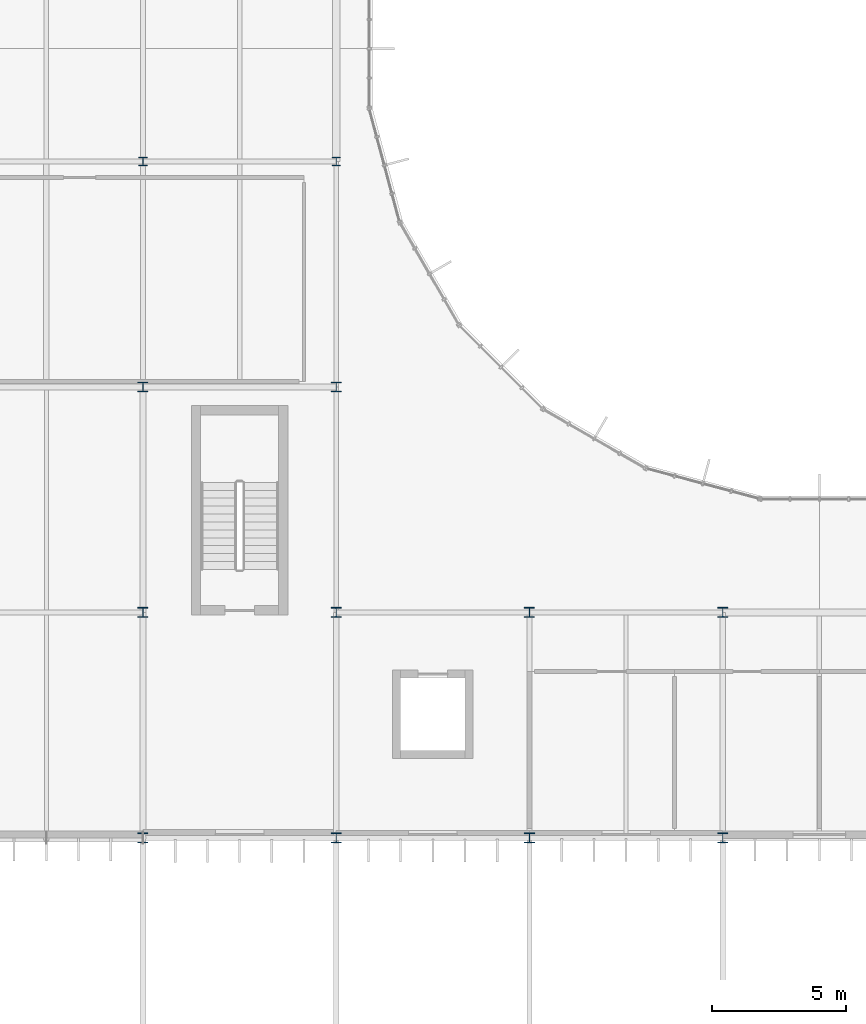
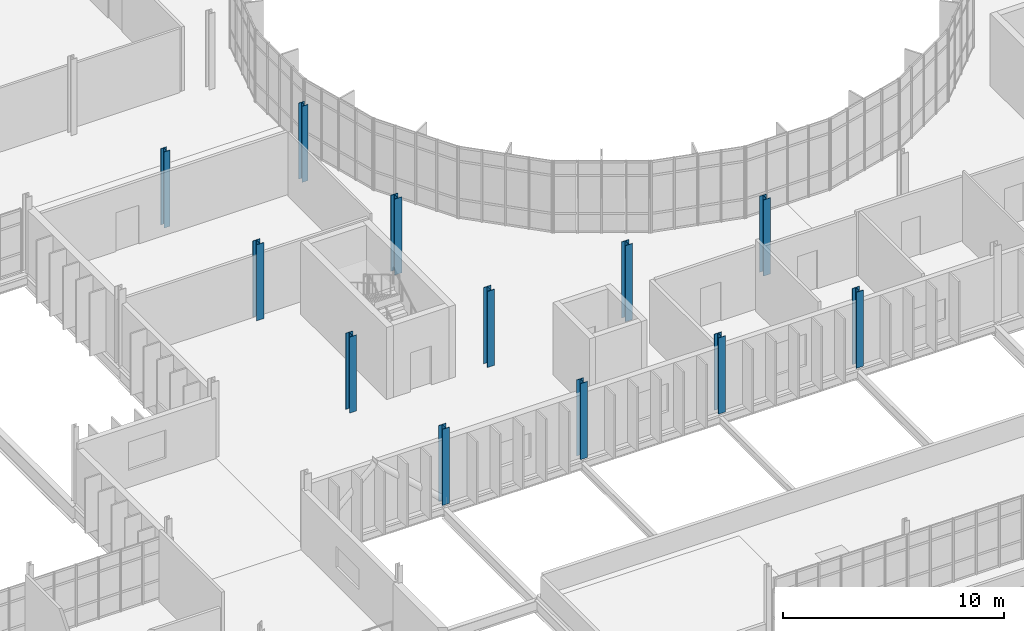
# One storey, part 12 of 119: 12 columns.
"""IFC4 building model written with IfcOpenShell, lengths in metres."""

import ifcopenshell
import ifcopenshell.guid

model = None  # the IFC model being written
_history = None  # IfcOwnerHistory: only IFC2X3 demands one
_inside = {}  # id of a spatial element -> (the spatial element, [elements in it])
_under = {}  # id of a project, library or spatial element -> (it, [spatial elements below it])
_declared = {}  # id of a project -> (the project, [libraries it declares])
_typed = {}  # id of a type object -> (the type object, [elements of that type])
_made_of = {}  # id of a material, layer set ... -> (it, [elements and type objects made of it])


def new_model(schema):
    """Start an empty IFC model of exactly this schema.

    Asked for "IFC4X3", IfcOpenShell would pick the latest addendum, in which some entities
    have other attributes; the version numbers below select the first issue.
    IFC2X3 requires an IfcOwnerHistory on every rooted entity: one is made here for all.
    """
    global model, _history
    if schema == "IFC4X3":
        model = ifcopenshell.file(schema_version=(4, 3, 0, 0))
    else:
        model = ifcopenshell.file(schema=schema)
    _inside.clear()
    _under.clear()
    _declared.clear()
    _typed.clear()
    _made_of.clear()
    _history = None
    if model.schema == "IFC2X3":
        org = make("IfcOrganization", Name="unknown")
        user = make(
            "IfcPersonAndOrganization",
            ThePerson=make("IfcPerson", FamilyName="unknown"),
            TheOrganization=org,
        )
        app = make(
            "IfcApplication",
            ApplicationDeveloper=org,
            Version="unknown",
            ApplicationFullName="unknown",
            ApplicationIdentifier="unknown",
        )
        _history = make(
            "IfcOwnerHistory",
            OwningUser=user,
            OwningApplication=app,
            ChangeAction="ADDED",
            CreationDate=0,
        )
    return model


def make(cls, **values):
    """One entity of the class cls with the attributes given. An attribute that is None is left unset."""
    return model.create_entity(
        cls, **{name: value for name, value in values.items() if value is not None}
    )


def rooted(cls, **values):
    """An entity with a GlobalId (a new one), such as an element, a storey or a relation."""
    return make(cls, GlobalId=ifcopenshell.guid.new(), OwnerHistory=_history, **values)


def si_unit(unit_type, name, prefix=None):
    """IfcSIUnit, for example si_unit("LENGTHUNIT", "METRE", prefix="MILLI")."""
    return make("IfcSIUnit", UnitType=unit_type, Prefix=prefix, Name=name)


def assignment(units):
    """IfcUnitAssignment: the units of a project."""
    return None if units is None else make("IfcUnitAssignment", Units=units)


def point(xyz):
    """IfcCartesianPoint."""
    return None if xyz is None else make("IfcCartesianPoint", Coordinates=xyz)


def direction(xyz):
    """IfcDirection."""
    return None if xyz is None else make("IfcDirection", DirectionRatios=xyz)


def frame(location, z_axis=None, x_axis=None):
    """IfcAxis2Placement3D, a coordinate frame: its origin and axes. An axis left out is left unset."""
    return make(
        "IfcAxis2Placement3D",
        Location=point(location),
        Axis=direction(z_axis),
        RefDirection=direction(x_axis),
    )


def frame_2d(location, x_axis=None):
    """IfcAxis2Placement2D, a coordinate frame in the plane: its origin and x axis."""
    return make(
        "IfcAxis2Placement2D", Location=point(location), RefDirection=direction(x_axis)
    )


def origin():
    """The frame at (0, 0, 0) with its axes left unset."""
    return frame((0.0, 0.0, 0.0))


def origin_2d():
    """The frame at (0, 0) in the plane with its x axis left unset."""
    return frame_2d((0.0, 0.0))


def place(relative_to, where):
    """IfcLocalPlacement: puts the frame where relative to a parent placement (None: the world)."""
    return make(
        "IfcLocalPlacement", PlacementRelTo=relative_to, RelativePlacement=where
    )


def context(
    kind, dimensions, precision=None, world=None, true_north=None, identifier=None
):
    """IfcGeometricRepresentationContext, for example the 3D "Model" context."""
    return make(
        "IfcGeometricRepresentationContext",
        ContextIdentifier=identifier,
        ContextType=kind,
        CoordinateSpaceDimension=dimensions,
        Precision=precision,
        WorldCoordinateSystem=world,
        TrueNorth=true_north,
    )


def subcontext(parent, identifier, kind, view, scale=None):
    """IfcGeometricRepresentationSubContext, for example "Body" below "Model"."""
    return make(
        "IfcGeometricRepresentationSubContext",
        ContextIdentifier=identifier,
        ContextType=kind,
        ParentContext=parent,
        TargetScale=scale,
        TargetView=view,
    )


def project(units=None, contexts=None):
    """IfcProject with its units and contexts."""
    return rooted(
        "IfcProject",
        Name="project",
        RepresentationContexts=contexts,
        UnitsInContext=assignment(units),
    )


def spatial(cls, under=None, at=None, **own):
    """A site, building, storey or space (cls), placed at a placement, below another one or the project."""
    s = rooted(cls, ObjectPlacement=at, **own)
    if under is not None:
        _under.setdefault(under.id(), (under, []))[1].append(s)
    return s


def profile(cls, at=None, kind="AREA", **sizes):
    """A parametric profile (cls). Its sizes go by their IFC names, for example OverallWidth=200.0."""
    return make(cls, ProfileType=kind, Position=at, **sizes)


def i_section(**sizes):
    """IfcIShapeProfileDef."""
    return profile("IfcIShapeProfileDef", **sizes)


def extrude(swept, where, along, depth):
    """IfcExtrudedAreaSolid: the profile swept, set in the frame where, extruded along a direction by depth."""
    return make(
        "IfcExtrudedAreaSolid",
        SweptArea=swept,
        Position=where,
        ExtrudedDirection=direction(along),
        Depth=depth,
    )


def shape(context_of_items, identifier, shape_type, items):
    """IfcShapeRepresentation: the items that make up one representation, for example the "Body"."""
    return make(
        "IfcShapeRepresentation",
        ContextOfItems=context_of_items,
        RepresentationIdentifier=identifier,
        RepresentationType=shape_type,
        Items=items,
    )


def material(Name=None, Category=None):
    """IfcMaterial."""
    return make("IfcMaterial", Name=Name, Category=Category)


def material_profile(
    of_material, cross_section, Name=None, Category=None, Priority=None
):
    """IfcMaterialProfile: a cross section and its material."""
    return make(
        "IfcMaterialProfile",
        Name=Name,
        Material=of_material,
        Profile=cross_section,
        Priority=Priority,
        Category=Category,
    )


def profile_set(profiles, Name=None, composite=None):
    """IfcMaterialProfileSet."""
    return make(
        "IfcMaterialProfileSet",
        Name=Name,
        MaterialProfiles=profiles,
        CompositeProfile=composite,
    )


def made_of(thing, what):
    """Note that an element or type object is made of a material, layer set ...; save() writes the relation."""
    if what is not None:
        _made_of.setdefault(what.id(), (what, []))[1].append(thing)
    return thing


def type_object(cls, material=None, **own):
    """A type object (cls), such as IfcWallType, which elements share."""
    return made_of(rooted(cls, **own), material)


def element(
    cls,
    number,
    at=None,
    inside=None,
    cuts=None,
    type_object=None,
    material=None,
    context=None,
    identifier="Body",
    shape_type=None,
    held_by="IfcProductDefinitionShape",
    body=None,
    shapes=None,
    **own,
):
    """One element of the class cls, such as IfcWall. Its Tag is "e" and its number.

    at: its placement. inside: the storey or other place that contains it. cuts: it is an
    opening in that element (IfcRelVoidsElement). A single representation is given by context,
    identifier, shape_type and body (its items); several are given by shapes. held_by: the class
    of the entity that holds the representations. save() writes the other relations.
    """
    e = rooted(cls, Tag="e%d" % number, ObjectPlacement=at, **own)
    if body is not None:
        shapes = [shape(context, identifier, shape_type, body)]
    if shapes is not None:
        e.Representation = make(held_by, Representations=shapes)
    if inside is not None:
        _inside.setdefault(inside.id(), (inside, []))[1].append(e)
    if cuts is not None:
        rooted(
            "IfcRelVoidsElement", RelatingBuildingElement=cuts, RelatedOpeningElement=e
        )
    if type_object is not None:
        _typed.setdefault(type_object.id(), (type_object, []))[1].append(e)
    return made_of(e, material)


def aggregate(whole, parts):
    """IfcRelAggregates: a whole, such as a stair, and the parts it consists of."""
    return rooted("IfcRelAggregates", RelatingObject=whole, RelatedObjects=parts)


def save(model, path):
    """Write the relations noted so far, then the file.

    IfcRelAggregates (storeys below a building ...), IfcRelContainedInSpatialStructure (elements
    in a storey), IfcRelDefinesByType, IfcRelAssociatesMaterial and IfcRelDeclares: one each for
    every whole, place, type object, material and project.
    """
    for whole, parts in _under.values():
        aggregate(whole, parts)
    for where, things in _inside.values():
        rooted(
            "IfcRelContainedInSpatialStructure",
            RelatedElements=things,
            RelatingStructure=where,
        )
    for kind, things in _typed.values():
        rooted("IfcRelDefinesByType", RelatedObjects=things, RelatingType=kind)
    for what, things in _made_of.values():
        rooted("IfcRelAssociatesMaterial", RelatedObjects=things, RelatingMaterial=what)
    for by, libraries in _declared.values():
        rooted("IfcRelDeclares", RelatingContext=by, RelatedDefinitions=libraries)
    model.write(path)


model = new_model("IFC4")

# Units and contexts
model_context = context("Model", 3, precision=1e-05, world=origin(), true_north=direction((0.0, 1.0)))
body_context = subcontext(model_context, "Body", "Model", "MODEL_VIEW")
ifc_project = project(units=[si_unit("LENGTHUNIT", "METRE"), si_unit("AREAUNIT", "SQUARE_METRE"), si_unit("VOLUMEUNIT", "CUBIC_METRE"), si_unit("PLANEANGLEUNIT", "RADIAN"), si_unit("MASSUNIT", "GRAM", prefix="KILO")], contexts=[model_context])

# Site, building, storey
site_placement = place(None, origin())
site = spatial("IfcSite", under=ifc_project, at=site_placement, CompositionType="ELEMENT")
building_placement = place(site_placement, origin())
building = spatial("IfcBuilding", under=site, at=building_placement, Name="Qelthora Terrace Specialist Clinic", CompositionType="ELEMENT")
storey_placement = place(building_placement, frame((0.0, 0.0, 4.800048828125)))
storey = spatial("IfcBuildingStorey", under=building, at=storey_placement, Name="L01", CompositionType="ELEMENT", Elevation=4.800048828125)

# Columns
ifc_material = material(Name="Steel S355", Category="steel")
ifc_material_profile_1 = material_profile(ifc_material, i_section(OverallWidth=0.30908203125, OverallDepth=0.322998046875, WebThickness=0.013916015625, FlangeThickness=0.02294921875, FilletRadius=0.01611328125, at=origin_2d()), Name="W310X143")
ifc_profile_set_1 = profile_set([ifc_material_profile_1], Name="Steel S355")
column_type_1 = type_object("IfcColumnType", Name="COL-W310X143", PredefinedType="COLUMN", material=ifc_profile_set_1)
for number, where, z_axis, x_axis, name in (
    (1, (100.800048828125, 58.800048828125, 0.0), (0.0, 0.0, 1.0), (1.0, 0.0, 0.0), "Column L01-168"),
    (2, (108.0, 58.800048828125, 0.0), (0.0, 0.0, 1.0), (1.0, 0.0, 0.0), "Column L01-182"),
):
    element("IfcColumn", number, at=place(storey_placement, frame(where, z_axis=z_axis, x_axis=x_axis)), inside=storey, type_object=column_type_1, Name=name, PredefinedType="COLUMN", context=body_context, shape_type="SweptSolid", body=[
        extrude(i_section(OverallWidth=0.30908203125, OverallDepth=0.322998046875, WebThickness=0.013916015625, FlangeThickness=0.02294921875, FilletRadius=0.01611328125, at=origin_2d()), origin(), (0.0, 0.0, 1.0), 4.199951171875),
    ])
ifc_material_profile_2 = material_profile(ifc_material, i_section(OverallWidth=0.37109375, OverallDepth=0.364013671875, WebThickness=0.01318359375, FlangeThickness=0.021728515625, FilletRadius=0.02001953125, at=origin_2d()), Name="W360X162")
ifc_profile_set_2 = profile_set([ifc_material_profile_2], Name="Steel S355")
column_type_2 = type_object("IfcColumnType", Name="COL-W360X162", PredefinedType="COLUMN", material=ifc_profile_set_2)
for number, where, z_axis, x_axis, name in (
    (3, (100.800048828125, 50.39990234375, 0.0), (0.0, 0.0, 1.0), (1.0, 0.0, 0.0), "Column L01-167"),
    (4, (108.0, 33.60009765625, 0.0), (0.0, 0.0, 1.0), (1.0, 0.0, 0.0), "Column L01-179"),
):
    element("IfcColumn", number, at=place(storey_placement, frame(where, z_axis=z_axis, x_axis=x_axis)), inside=storey, type_object=column_type_2, Name=name, PredefinedType="COLUMN", context=body_context, shape_type="SweptSolid", body=[
        extrude(i_section(OverallWidth=0.37109375, OverallDepth=0.364013671875, WebThickness=0.01318359375, FlangeThickness=0.021728515625, FilletRadius=0.02001953125, at=origin_2d()), origin(), (0.0, 0.0, 1.0), 4.199951171875),
    ])
ifc_material_profile_3 = material_profile(ifc_material, i_section(OverallWidth=0.373046875, OverallDepth=0.367919921875, WebThickness=0.014892578125, FlangeThickness=0.02392578125, FilletRadius=0.02001953125, at=origin_2d()), Name="W360X179")
ifc_profile_set_3 = profile_set([ifc_material_profile_3], Name="Steel S355")
column_type_3 = type_object("IfcColumnType", Name="COL-W360X179", PredefinedType="COLUMN", material=ifc_profile_set_3)
for number, where, z_axis, x_axis, name in (
    (5, (100.800048828125, 42.0, 0.0), (0.0, 0.0, 1.0), (1.0, 0.0, 0.0), "Column L01-166"),
    (6, (108.0, 50.39990234375, 0.0), (0.0, 0.0, 1.0), (1.0, 0.0, 0.0), "Column L01-181"),
    (7, (115.199951171875, 42.0, 0.0), (0.0, 0.0, 1.0), (1.0, 0.0, 0.0), "Column L01-193"),
    (8, (122.39990234375, 42.0, 0.0), (0.0, 0.0, 1.0), (1.0, 0.0, 0.0), "Column L01-202"),
):
    element("IfcColumn", number, at=place(storey_placement, frame(where, z_axis=z_axis, x_axis=x_axis)), inside=storey, type_object=column_type_3, Name=name, PredefinedType="COLUMN", context=body_context, shape_type="SweptSolid", body=[
        extrude(i_section(OverallWidth=0.373046875, OverallDepth=0.367919921875, WebThickness=0.014892578125, FlangeThickness=0.02392578125, FilletRadius=0.02001953125, at=origin_2d()), origin(), (0.0, 0.0, 1.0), 4.199951171875),
    ])
ifc_material_profile_4 = material_profile(ifc_material, i_section(OverallWidth=0.3740234375, OverallDepth=0.3720703125, WebThickness=0.016357421875, FlangeThickness=0.026123046875, FilletRadius=0.02001953125, at=origin_2d()), Name="W360X196")
ifc_profile_set_4 = profile_set([ifc_material_profile_4], Name="Steel S355")
column_type_4 = type_object("IfcColumnType", Name="COL-W360X196", PredefinedType="COLUMN", material=ifc_profile_set_4)
for number, where, z_axis, x_axis, name in (
    (9, (100.800048828125, 33.60009765625, 0.0), (0.0, 0.0, 1.0), (1.0, 0.0, 0.0), "Column L01-165"),
    (10, (108.0, 42.0, 0.0), (0.0, 0.0, 1.0), (1.0, 0.0, 0.0), "Column L01-180"),
    (11, (115.199951171875, 33.60009765625, 0.0), (0.0, 0.0, 1.0), (1.0, 0.0, 0.0), "Column L01-192"),
    (12, (122.39990234375, 33.60009765625, 0.0), (0.0, 0.0, 1.0), (1.0, 0.0, 0.0), "Column L01-201"),
):
    element("IfcColumn", number, at=place(storey_placement, frame(where, z_axis=z_axis, x_axis=x_axis)), inside=storey, type_object=column_type_4, Name=name, PredefinedType="COLUMN", context=body_context, shape_type="SweptSolid", body=[
        extrude(i_section(OverallWidth=0.3740234375, OverallDepth=0.3720703125, WebThickness=0.016357421875, FlangeThickness=0.026123046875, FilletRadius=0.02001953125, at=origin_2d()), origin(), (0.0, 0.0, 1.0), 4.199951171875),
    ])

save(model, "model.ifc")
